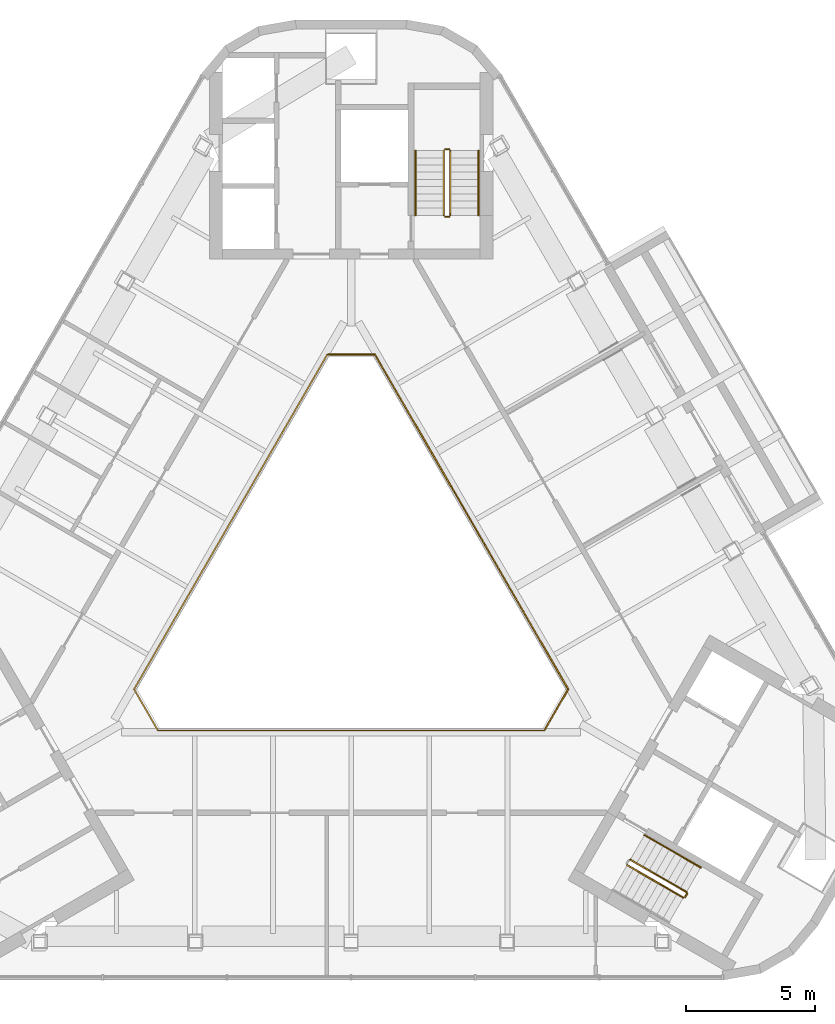
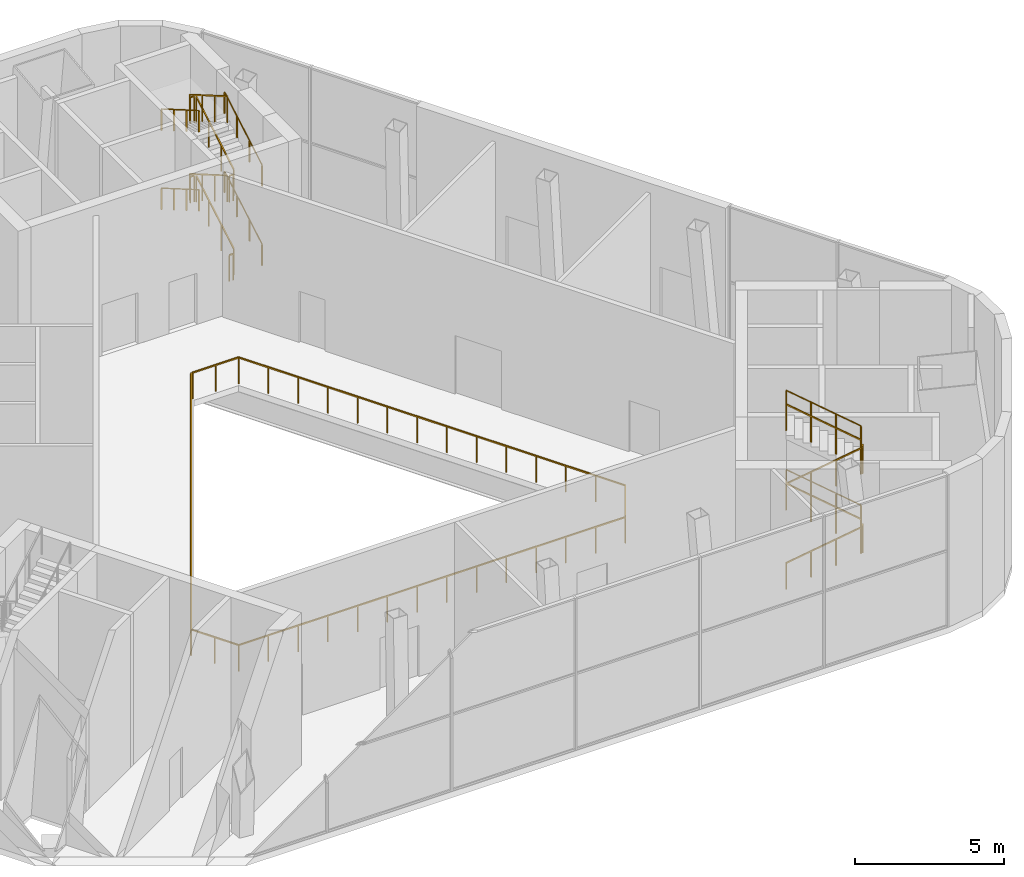
# One storey, part 12 of 12: 22 railings.
"""IFC4 building model written with IfcOpenShell, lengths in metres."""

from ifc_helpers import new_model, si_unit, direction, frame, origin, origin_2d, place, context, subcontext, project, spatial, rectangle, circle, extrude, material, type_object, element, save


model = new_model("IFC4")

# Units and contexts
model_context = context("Model", 3, precision=1e-05, world=origin(), true_north=direction((0.0, 1.0)))
body_context = subcontext(model_context, "Body", "Model", "MODEL_VIEW")
ifc_project = project(units=[si_unit("LENGTHUNIT", "METRE"), si_unit("AREAUNIT", "SQUARE_METRE"), si_unit("VOLUMEUNIT", "CUBIC_METRE"), si_unit("PLANEANGLEUNIT", "RADIAN"), si_unit("MASSUNIT", "GRAM", prefix="KILO")], contexts=[model_context])

# Site, building, storey
site_placement = place(None, origin())
site = spatial("IfcSite", under=ifc_project, at=site_placement, CompositionType="ELEMENT")
building_placement = place(site_placement, origin())
building = spatial("IfcBuilding", under=site, at=building_placement, Name="Apuvela Tower Hotel", CompositionType="ELEMENT")
storey_placement = place(building_placement, frame((0.0, 0.0, 331.800048828125)))
storey = spatial("IfcBuildingStorey", under=building, at=storey_placement, Name="L83", CompositionType="ELEMENT", Elevation=331.800048828125)

# Railings
ifc_material_1 = material(Name="Steel S275 balustrade", Category="steel")
railing_type_1 = type_object("IfcRailingType", Name="COR-GUARD-1100", PredefinedType="GUARDRAIL", material=ifc_material_1)
railing_1_placement = place(storey_placement, frame((3.85009765625, 14.60009765625, 0.162353515625)))
element("IfcRailing", 1, at=railing_1_placement, inside=storey, type_object=railing_type_1, Name="L83 ST1 stair guard 1", PredefinedType="GUARDRAIL", context=body_context, shape_type="SweptSolid", body=[
    extrude(rectangle(XDim=0.048095703125, YDim=0.048095703125, at=origin_2d()), frame((0.0, 0.0, 1.076171875), z_axis=(0.0, 0.864876961378, 0.501983905795), x_axis=(-1.0, 0.0, 0.0)), (0.0, 0.0, 1.0), 2.913818359375),
    extrude(rectangle(XDim=0.0419921875, YDim=0.0419921875, at=origin_2d()), origin(), (0.0, 0.0, 1.0), 1.052001953125),
    extrude(rectangle(XDim=0.0419921875, YDim=0.0419921875, at=origin_2d()), frame((0.0, 0.840087890625, 0.487548828125)), (0.0, 0.0, 1.0), 1.052001953125),
    extrude(rectangle(XDim=0.0419921875, YDim=0.0419921875, at=origin_2d()), frame((0.0, 1.679931640625, 0.97509765625)), (0.0, 0.0, 1.0), 1.052001953125),
    extrude(rectangle(XDim=0.0419921875, YDim=0.0419921875, at=origin_2d()), frame((0.0, 2.52001953125, 1.462646484375)), (0.0, 0.0, 1.0), 1.052001953125),
])
railing_2_placement = place(storey_placement, frame((3.800048828125, 17.169921875, 1.625)))
element("IfcRailing", 2, at=railing_2_placement, inside=storey, type_object=railing_type_1, Name="L83 ST1 stair guard 2", PredefinedType="GUARDRAIL", context=body_context, shape_type="SweptSolid", body=[
    extrude(rectangle(XDim=0.048095703125, YDim=0.048095703125, at=origin_2d()), frame((0.0, 0.0, 1.076171875), z_axis=(-1.0, 0.0, 0.0), x_axis=(0.0, -1.0, 0.0)), (0.0, 0.0, 1.0), 0.150146484375),
    extrude(rectangle(XDim=0.0419921875, YDim=0.0419921875, at=origin_2d()), origin(), (0.0, 0.0, 1.0), 1.052001953125),
    extrude(rectangle(XDim=0.0419921875, YDim=0.0419921875, at=origin_2d()), frame((-0.150146484375, 0.0, 0.0)), (0.0, 0.0, 1.0), 1.052001953125),
])
railing_3_placement = place(storey_placement, frame((3.60009765625, 17.1201171875, 1.787353515625)))
element("IfcRailing", 3, at=railing_3_placement, inside=storey, type_object=railing_type_1, Name="L83 ST1 stair guard 3", PredefinedType="GUARDRAIL", context=body_context, shape_type="SweptSolid", body=[
    extrude(rectangle(XDim=0.048095703125, YDim=0.048095703125, at=origin_2d()), frame((0.0, 0.0, 1.076171875), z_axis=(0.0, -0.864876961378, 0.501983905795), x_axis=(1.0, 0.0, 0.0)), (0.0, 0.0, 1.0), 2.913818359375),
    extrude(rectangle(XDim=0.0419921875, YDim=0.0419921875, at=origin_2d()), origin(), (0.0, 0.0, 1.0), 1.052001953125),
    extrude(rectangle(XDim=0.0419921875, YDim=0.0419921875, at=origin_2d()), frame((0.0, -0.840087890625, 0.487548828125)), (0.0, 0.0, 1.0), 1.052001953125),
    extrude(rectangle(XDim=0.0419921875, YDim=0.0419921875, at=origin_2d()), frame((0.0, -1.679931640625, 0.97509765625)), (0.0, 0.0, 1.0), 1.052001953125),
    extrude(rectangle(XDim=0.0419921875, YDim=0.0419921875, at=origin_2d()), frame((0.0, -2.52001953125, 1.462646484375)), (0.0, 0.0, 1.0), 1.052001953125),
])
railing_4_placement = place(storey_placement, frame((3.800048828125, 14.550048828125, 3.25)))
element("IfcRailing", 4, at=railing_4_placement, inside=storey, type_object=railing_type_1, Name="L83 ST1 stair guard 4", PredefinedType="GUARDRAIL", context=body_context, shape_type="SweptSolid", body=[
    extrude(rectangle(XDim=0.048095703125, YDim=0.048095703125, at=origin_2d()), frame((0.0, 0.0, 1.076171875), z_axis=(-1.0, 0.0, 0.0), x_axis=(0.0, -1.0, 0.0)), (0.0, 0.0, 1.0), 0.150146484375),
    extrude(rectangle(XDim=0.0419921875, YDim=0.0419921875, at=origin_2d()), origin(), (0.0, 0.0, 1.0), 1.052001953125),
    extrude(rectangle(XDim=0.0419921875, YDim=0.0419921875, at=origin_2d()), frame((-0.150146484375, 0.0, 0.0)), (0.0, 0.0, 1.0), 1.052001953125),
])
railing_5_placement = place(storey_placement, frame((3.85009765625, 14.60009765625, 3.412353515625)))
element("IfcRailing", 5, at=railing_5_placement, inside=storey, type_object=railing_type_1, Name="L83 ST1 stair guard 5", PredefinedType="GUARDRAIL", context=body_context, shape_type="SweptSolid", body=[
    extrude(rectangle(XDim=0.048095703125, YDim=0.048095703125, at=origin_2d()), frame((0.0, 0.0, 1.076171875), z_axis=(0.0, 0.864876961378, 0.501983905795), x_axis=(-1.0, 0.0, 0.0)), (0.0, 0.0, 1.0), 2.913818359375),
    extrude(rectangle(XDim=0.0419921875, YDim=0.0419921875, at=origin_2d()), origin(), (0.0, 0.0, 1.0), 1.052001953125),
    extrude(rectangle(XDim=0.0419921875, YDim=0.0419921875, at=origin_2d()), frame((0.0, 0.840087890625, 0.487548828125)), (0.0, 0.0, 1.0), 1.052001953125),
    extrude(rectangle(XDim=0.0419921875, YDim=0.0419921875, at=origin_2d()), frame((0.0, 1.679931640625, 0.97509765625)), (0.0, 0.0, 1.0), 1.052001953125),
    extrude(rectangle(XDim=0.0419921875, YDim=0.0419921875, at=origin_2d()), frame((0.0, 2.52001953125, 1.462646484375)), (0.0, 0.0, 1.0), 1.052001953125),
])
railing_6_placement = place(storey_placement, frame((3.800048828125, 17.169921875, 4.875)))
element("IfcRailing", 6, at=railing_6_placement, inside=storey, type_object=railing_type_1, Name="L83 ST1 stair guard 6", PredefinedType="GUARDRAIL", context=body_context, shape_type="SweptSolid", body=[
    extrude(rectangle(XDim=0.048095703125, YDim=0.048095703125, at=origin_2d()), frame((0.0, 0.0, 1.076171875), z_axis=(-1.0, 0.0, 0.0), x_axis=(0.0, -1.0, 0.0)), (0.0, 0.0, 1.0), 0.150146484375),
    extrude(rectangle(XDim=0.0419921875, YDim=0.0419921875, at=origin_2d()), origin(), (0.0, 0.0, 1.0), 1.052001953125),
    extrude(rectangle(XDim=0.0419921875, YDim=0.0419921875, at=origin_2d()), frame((-0.150146484375, 0.0, 0.0)), (0.0, 0.0, 1.0), 1.052001953125),
])
railing_7_placement = place(storey_placement, frame((3.60009765625, 17.1201171875, 5.037353515625)))
element("IfcRailing", 7, at=railing_7_placement, inside=storey, type_object=railing_type_1, Name="L83 ST1 stair guard 7", PredefinedType="GUARDRAIL", context=body_context, shape_type="SweptSolid", body=[
    extrude(rectangle(XDim=0.048095703125, YDim=0.048095703125, at=origin_2d()), frame((0.0, 0.0, 1.076171875), z_axis=(0.0, -0.864876961378, 0.501983905795), x_axis=(1.0, 0.0, 0.0)), (0.0, 0.0, 1.0), 2.913818359375),
    extrude(rectangle(XDim=0.0419921875, YDim=0.0419921875, at=origin_2d()), origin(), (0.0, 0.0, 1.0), 1.052001953125),
    extrude(rectangle(XDim=0.0419921875, YDim=0.0419921875, at=origin_2d()), frame((0.0, -0.840087890625, 0.487548828125)), (0.0, 0.0, 1.0), 1.052001953125),
    extrude(rectangle(XDim=0.0419921875, YDim=0.0419921875, at=origin_2d()), frame((0.0, -1.679931640625, 0.97509765625)), (0.0, 0.0, 1.0), 1.052001953125),
    extrude(rectangle(XDim=0.0419921875, YDim=0.0419921875, at=origin_2d()), frame((0.0, -2.52001953125, 1.462646484375)), (0.0, 0.0, 1.0), 1.052001953125),
])
railing_8_placement = place(storey_placement, frame((3.800048828125, 14.550048828125, 0.0)))
element("IfcRailing", 8, at=railing_8_placement, inside=storey, type_object=railing_type_1, Name="L83 ST1 stair guard 8", PredefinedType="GUARDRAIL", context=body_context, shape_type="SweptSolid", body=[
    extrude(rectangle(XDim=0.048095703125, YDim=0.048095703125, at=origin_2d()), frame((0.0, 0.0, 1.076171875), z_axis=(-1.0, 0.0, 0.0), x_axis=(0.0, -1.0, 0.0)), (0.0, 0.0, 1.0), 0.150146484375),
    extrude(rectangle(XDim=0.0419921875, YDim=0.0419921875, at=origin_2d()), origin(), (0.0, 0.0, 1.0), 1.052001953125),
    extrude(rectangle(XDim=0.0419921875, YDim=0.0419921875, at=origin_2d()), frame((-0.150146484375, 0.0, 0.0)), (0.0, 0.0, 1.0), 1.052001953125),
])
railing_9_placement = place(storey_placement, frame((10.718994140625, -10.63427734375, 0.162353515625)))
element("IfcRailing", 9, at=railing_9_placement, inside=storey, type_object=railing_type_1, Name="L83 ST3 stair guard 1", PredefinedType="GUARDRAIL", context=body_context, shape_type="SweptSolid", body=[
    extrude(rectangle(XDim=0.048095703125, YDim=0.048095703125, at=origin_2d()), frame((0.0, 0.0, 1.076171875), z_axis=(0.749001218392, -0.432441580503, 0.501987504126), x_axis=(0.500004791531, 0.866022637375, 0.0)), (0.0, 0.0, 1.0), 2.913818359375),
    extrude(rectangle(XDim=0.0419921875, YDim=0.0419921875, at=origin_2d()), origin(), (0.0, 0.0, 1.0), 1.052001953125),
    extrude(rectangle(XDim=0.0419921875, YDim=0.0419921875, at=origin_2d()), frame((0.7275390625, -0.419921875, 0.487548828125)), (0.0, 0.0, 1.0), 1.052001953125),
    extrude(rectangle(XDim=0.0419921875, YDim=0.0419921875, at=origin_2d()), frame((1.454833984375, -0.840087890625, 0.97509765625)), (0.0, 0.0, 1.0), 1.052001953125),
    extrude(rectangle(XDim=0.0419921875, YDim=0.0419921875, at=origin_2d()), frame((2.182373046875, -1.260009765625, 1.462646484375)), (0.0, 0.0, 1.0), 1.052001953125),
])
railing_10_placement = place(storey_placement, frame((12.9697265625, -11.8759765625, 1.625)))
element("IfcRailing", 10, at=railing_10_placement, inside=storey, type_object=railing_type_1, Name="L83 ST3 stair guard 2", PredefinedType="GUARDRAIL", context=body_context, shape_type="SweptSolid", body=[
    extrude(rectangle(XDim=0.048095703125, YDim=0.048095703125, at=origin_2d()), frame((0.0, 0.0, 1.076171875), z_axis=(0.499816412211, 0.866131372301, 0.0), x_axis=(-0.866131372301, 0.499816412211, 0.0)), (0.0, 0.0, 1.0), 0.14990234375),
    extrude(rectangle(XDim=0.0419921875, YDim=0.0419921875, at=origin_2d()), origin(), (0.0, 0.0, 1.0), 1.052001953125),
    extrude(rectangle(XDim=0.0419921875, YDim=0.0419921875, at=origin_2d()), frame((0.074951171875, 0.1298828125, 0.0)), (0.0, 0.0, 1.0), 1.052001953125),
])
railing_11_placement = place(storey_placement, frame((13.0263671875, -11.677734375, 1.787353515625)))
element("IfcRailing", 11, at=railing_11_placement, inside=storey, type_object=railing_type_1, Name="L83 ST3 stair guard 3", PredefinedType="GUARDRAIL", context=body_context, shape_type="SweptSolid", body=[
    extrude(rectangle(XDim=0.048095703125, YDim=0.048095703125, at=origin_2d()), frame((0.0, 0.0, 1.076171875), z_axis=(-0.749001218392, 0.432441580503, 0.501987504126), x_axis=(-0.500004791531, -0.866022637375, 0.0)), (0.0, 0.0, 1.0), 2.913818359375),
    extrude(rectangle(XDim=0.0419921875, YDim=0.0419921875, at=origin_2d()), origin(), (0.0, 0.0, 1.0), 1.052001953125),
    extrude(rectangle(XDim=0.0419921875, YDim=0.0419921875, at=origin_2d()), frame((-0.7275390625, 0.419921875, 0.487548828125)), (0.0, 0.0, 1.0), 1.052001953125),
    extrude(rectangle(XDim=0.0419921875, YDim=0.0419921875, at=origin_2d()), frame((-1.454833984375, 0.840087890625, 0.97509765625)), (0.0, 0.0, 1.0), 1.052001953125),
    extrude(rectangle(XDim=0.0419921875, YDim=0.0419921875, at=origin_2d()), frame((-2.182373046875, 1.260009765625, 1.462646484375)), (0.0, 0.0, 1.0), 1.052001953125),
])
railing_12_placement = place(storey_placement, frame((10.718994140625, -10.63427734375, 3.412353515625)))
element("IfcRailing", 12, at=railing_12_placement, inside=storey, type_object=railing_type_1, Name="L83 ST3 stair guard 5", PredefinedType="GUARDRAIL", context=body_context, shape_type="SweptSolid", body=[
    extrude(rectangle(XDim=0.048095703125, YDim=0.048095703125, at=origin_2d()), frame((0.0, 0.0, 1.076171875), z_axis=(0.749001218392, -0.432441580503, 0.501987504126), x_axis=(0.500004791531, 0.866022637375, 0.0)), (0.0, 0.0, 1.0), 2.913818359375),
    extrude(rectangle(XDim=0.0419921875, YDim=0.0419921875, at=origin_2d()), origin(), (0.0, 0.0, 1.0), 1.052001953125),
    extrude(rectangle(XDim=0.0419921875, YDim=0.0419921875, at=origin_2d()), frame((0.7275390625, -0.419921875, 0.487548828125)), (0.0, 0.0, 1.0), 1.052001953125),
    extrude(rectangle(XDim=0.0419921875, YDim=0.0419921875, at=origin_2d()), frame((1.454833984375, -0.840087890625, 0.97509765625)), (0.0, 0.0, 1.0), 1.052001953125),
    extrude(rectangle(XDim=0.0419921875, YDim=0.0419921875, at=origin_2d()), frame((2.182373046875, -1.260009765625, 1.462646484375)), (0.0, 0.0, 1.0), 1.052001953125),
])
railing_13_placement = place(storey_placement, frame((12.9697265625, -11.8759765625, 4.875)))
element("IfcRailing", 13, at=railing_13_placement, inside=storey, type_object=railing_type_1, Name="L83 ST3 stair guard 6", PredefinedType="GUARDRAIL", context=body_context, shape_type="SweptSolid", body=[
    extrude(rectangle(XDim=0.048095703125, YDim=0.048095703125, at=origin_2d()), frame((0.0, 0.0, 1.076171875), z_axis=(0.499816412211, 0.866131372301, 0.0), x_axis=(-0.866131372301, 0.499816412211, 0.0)), (0.0, 0.0, 1.0), 0.14990234375),
    extrude(rectangle(XDim=0.0419921875, YDim=0.0419921875, at=origin_2d()), origin(), (0.0, 0.0, 1.0), 1.052001953125),
    extrude(rectangle(XDim=0.0419921875, YDim=0.0419921875, at=origin_2d()), frame((0.074951171875, 0.1298828125, 0.0)), (0.0, 0.0, 1.0), 1.052001953125),
])
railing_14_placement = place(storey_placement, frame((13.0263671875, -11.677734375, 5.037353515625)))
element("IfcRailing", 14, at=railing_14_placement, inside=storey, type_object=railing_type_1, Name="L83 ST3 stair guard 7", PredefinedType="GUARDRAIL", context=body_context, shape_type="SweptSolid", body=[
    extrude(rectangle(XDim=0.048095703125, YDim=0.048095703125, at=origin_2d()), frame((0.0, 0.0, 1.076171875), z_axis=(-0.749001218392, 0.432441580503, 0.501987504126), x_axis=(-0.500004791531, -0.866022637375, 0.0)), (0.0, 0.0, 1.0), 2.913818359375),
    extrude(rectangle(XDim=0.0419921875, YDim=0.0419921875, at=origin_2d()), origin(), (0.0, 0.0, 1.0), 1.052001953125),
    extrude(rectangle(XDim=0.0419921875, YDim=0.0419921875, at=origin_2d()), frame((-0.7275390625, 0.419921875, 0.487548828125)), (0.0, 0.0, 1.0), 1.052001953125),
    extrude(rectangle(XDim=0.0419921875, YDim=0.0419921875, at=origin_2d()), frame((-1.454833984375, 0.840087890625, 0.97509765625)), (0.0, 0.0, 1.0), 1.052001953125),
    extrude(rectangle(XDim=0.0419921875, YDim=0.0419921875, at=origin_2d()), frame((-2.182373046875, 1.260009765625, 1.462646484375)), (0.0, 0.0, 1.0), 1.052001953125),
])
ifc_material_2 = material(Name="Stainless steel 316 handrail", Category="steel")
railing_type_2 = type_object("IfcRailingType", Name="COR-HANDRAIL-900", PredefinedType="HANDRAIL", material=ifc_material_2)
railing_15_placement = place(storey_placement, frame((4.949951171875, 14.60009765625, 0.162353515625)))
element("IfcRailing", 15, at=railing_15_placement, inside=storey, type_object=railing_type_2, Name="L83 ST1 stair handrail 1", PredefinedType="HANDRAIL", context=body_context, shape_type="SweptSolid", body=[
    extrude(circle(Radius=0.02392578125, at=origin_2d()), frame((0.0, 0.0, 0.8759765625), z_axis=(0.0, 0.864876961378, 0.501983905795), x_axis=(-1.0, 0.0, 0.0)), (0.0, 0.0, 1.0), 2.913818359375),
    extrude(rectangle(XDim=0.0419921875, YDim=0.0419921875, at=origin_2d()), origin(), (0.0, 0.0, 1.0), 0.851806640625),
    extrude(rectangle(XDim=0.0419921875, YDim=0.0419921875, at=origin_2d()), frame((0.0, 0.840087890625, 0.487548828125)), (0.0, 0.0, 1.0), 0.851806640625),
    extrude(rectangle(XDim=0.0419921875, YDim=0.0419921875, at=origin_2d()), frame((0.0, 1.679931640625, 0.97509765625)), (0.0, 0.0, 1.0), 0.851806640625),
    extrude(rectangle(XDim=0.0419921875, YDim=0.0419921875, at=origin_2d()), frame((0.0, 2.52001953125, 1.462646484375)), (0.0, 0.0, 1.0), 0.851806640625),
])
railing_16_placement = place(storey_placement, frame((2.5, 17.1201171875, 1.787353515625)))
element("IfcRailing", 16, at=railing_16_placement, inside=storey, type_object=railing_type_2, Name="L83 ST1 stair handrail 2", PredefinedType="HANDRAIL", context=body_context, shape_type="SweptSolid", body=[
    extrude(circle(Radius=0.02392578125, at=origin_2d()), frame((0.0, 0.0, 0.8759765625), z_axis=(0.0, -0.864876961378, 0.501983905795), x_axis=(1.0, 0.0, 0.0)), (0.0, 0.0, 1.0), 2.913818359375),
    extrude(rectangle(XDim=0.0419921875, YDim=0.0419921875, at=origin_2d()), origin(), (0.0, 0.0, 1.0), 0.851806640625),
    extrude(rectangle(XDim=0.0419921875, YDim=0.0419921875, at=origin_2d()), frame((0.0, -0.840087890625, 0.487548828125)), (0.0, 0.0, 1.0), 0.851806640625),
    extrude(rectangle(XDim=0.0419921875, YDim=0.0419921875, at=origin_2d()), frame((0.0, -1.679931640625, 0.97509765625)), (0.0, 0.0, 1.0), 0.851806640625),
    extrude(rectangle(XDim=0.0419921875, YDim=0.0419921875, at=origin_2d()), frame((0.0, -2.52001953125, 1.462646484375)), (0.0, 0.0, 1.0), 0.851806640625),
])
railing_17_placement = place(storey_placement, frame((4.949951171875, 14.60009765625, 3.412353515625)))
element("IfcRailing", 17, at=railing_17_placement, inside=storey, type_object=railing_type_2, Name="L83 ST1 stair handrail 3", PredefinedType="HANDRAIL", context=body_context, shape_type="SweptSolid", body=[
    extrude(circle(Radius=0.02392578125, at=origin_2d()), frame((0.0, 0.0, 0.8759765625), z_axis=(0.0, 0.864876961378, 0.501983905795), x_axis=(-1.0, 0.0, 0.0)), (0.0, 0.0, 1.0), 2.913818359375),
    extrude(rectangle(XDim=0.0419921875, YDim=0.0419921875, at=origin_2d()), origin(), (0.0, 0.0, 1.0), 0.851806640625),
    extrude(rectangle(XDim=0.0419921875, YDim=0.0419921875, at=origin_2d()), frame((0.0, 0.840087890625, 0.487548828125)), (0.0, 0.0, 1.0), 0.851806640625),
    extrude(rectangle(XDim=0.0419921875, YDim=0.0419921875, at=origin_2d()), frame((0.0, 1.679931640625, 0.97509765625)), (0.0, 0.0, 1.0), 0.851806640625),
    extrude(rectangle(XDim=0.0419921875, YDim=0.0419921875, at=origin_2d()), frame((0.0, 2.52001953125, 1.462646484375)), (0.0, 0.0, 1.0), 0.851806640625),
])
railing_18_placement = place(storey_placement, frame((2.5, 17.1201171875, 5.037353515625)))
element("IfcRailing", 18, at=railing_18_placement, inside=storey, type_object=railing_type_2, Name="L83 ST1 stair handrail 4", PredefinedType="HANDRAIL", context=body_context, shape_type="SweptSolid", body=[
    extrude(circle(Radius=0.02392578125, at=origin_2d()), frame((0.0, 0.0, 0.8759765625), z_axis=(0.0, -0.864876961378, 0.501983905795), x_axis=(1.0, 0.0, 0.0)), (0.0, 0.0, 1.0), 2.913818359375),
    extrude(rectangle(XDim=0.0419921875, YDim=0.0419921875, at=origin_2d()), origin(), (0.0, 0.0, 1.0), 0.851806640625),
    extrude(rectangle(XDim=0.0419921875, YDim=0.0419921875, at=origin_2d()), frame((0.0, -0.840087890625, 0.487548828125)), (0.0, 0.0, 1.0), 0.851806640625),
    extrude(rectangle(XDim=0.0419921875, YDim=0.0419921875, at=origin_2d()), frame((0.0, -1.679931640625, 0.97509765625)), (0.0, 0.0, 1.0), 0.851806640625),
    extrude(rectangle(XDim=0.0419921875, YDim=0.0419921875, at=origin_2d()), frame((0.0, -2.52001953125, 1.462646484375)), (0.0, 0.0, 1.0), 0.851806640625),
])
for number, where, name in (
    (19, (13.576416015625, -10.72509765625, 1.787353515625), "L83 ST3 stair handrail 2"),
    (20, (13.576416015625, -10.72509765625, 5.037353515625), "L83 ST3 stair handrail 4"),
):
    element("IfcRailing", number, at=place(storey_placement, frame(where)), inside=storey, type_object=railing_type_2, Name=name, PredefinedType="HANDRAIL", context=body_context, shape_type="SweptSolid", body=[
        extrude(circle(Radius=0.02392578125, at=origin_2d()), frame((0.0, 0.0, 0.8759765625), z_axis=(-0.749001218392, 0.432441580503, 0.501987504126), x_axis=(-0.500004791531, -0.866022637375, 0.0)), (0.0, 0.0, 1.0), 2.913818359375),
        extrude(rectangle(XDim=0.0419921875, YDim=0.0419921875, at=origin_2d()), origin(), (0.0, 0.0, 1.0), 0.851806640625),
        extrude(rectangle(XDim=0.0419921875, YDim=0.0419921875, at=origin_2d()), frame((-0.7275390625, 0.419921875, 0.487548828125)), (0.0, 0.0, 1.0), 0.851806640625),
        extrude(rectangle(XDim=0.0419921875, YDim=0.0419921875, at=origin_2d()), frame((-1.454833984375, 0.840087890625, 0.97509765625)), (0.0, 0.0, 1.0), 0.851806640625),
        extrude(rectangle(XDim=0.0419921875, YDim=0.0419921875, at=origin_2d()), frame((-2.182373046875, 1.260009765625, 1.462646484375)), (0.0, 0.0, 1.0), 0.851806640625),
    ])
ifc_material_3 = material(Name="Stainless steel 316 rail with laminated glass infill", Category="steel")
railing_type_3 = type_object("IfcRailingType", Name="ENV-GUARD-1100", PredefinedType="GUARDRAIL", material=ifc_material_3)
railing_19_placement = place(storey_placement, frame((-0.923828125, 9.199951171875, 0.0)))
element("IfcRailing", 21, at=railing_19_placement, inside=storey, type_object=railing_type_3, Name="Atrium void guard A L83", PredefinedType="GUARDRAIL", context=body_context, shape_type="SweptSolid", body=[
    extrude(rectangle(XDim=0.050048828125, YDim=0.050048828125, at=origin_2d()), frame((0.0, 0.0, 1.0751953125), z_axis=(-0.499990886379, -0.866030665472, 0.0), x_axis=(0.866030665472, -0.499990886379, 0.0)), (0.0, 0.0, 1.0), 15.010986328125),
    extrude(rectangle(XDim=0.050048828125, YDim=0.050048828125, at=origin_2d()), frame((-7.50537109375, -13.0, 1.0751953125), z_axis=(0.499962699187, -0.866046938348, 0.0), x_axis=(0.866046938348, 0.499962699187, 0.0)), (0.0, 0.0, 1.0), 1.847412109375),
    extrude(rectangle(XDim=0.050048828125, YDim=0.050048828125, at=origin_2d()), frame((-6.581787109375, -14.599853515625, 1.0751953125), z_axis=(1.0, 0.0, 0.0), x_axis=(0.0, 1.0, 0.0)), (0.0, 0.0, 1.0), 15.01123046875),
    extrude(rectangle(XDim=0.0400390625, YDim=0.0400390625, at=origin_2d()), origin(), (0.0, 0.0, 1.0), 1.050048828125),
    extrude(rectangle(XDim=0.0400390625, YDim=0.0400390625, at=origin_2d()), frame((-0.577392578125, -1.0, 0.0)), (0.0, 0.0, 1.0), 1.050048828125),
    extrude(rectangle(XDim=0.0400390625, YDim=0.0400390625, at=origin_2d()), frame((-1.15478515625, -2.0, 0.0)), (0.0, 0.0, 1.0), 1.050048828125),
    extrude(rectangle(XDim=0.0400390625, YDim=0.0400390625, at=origin_2d()), frame((-1.73193359375, -3.0, 0.0)), (0.0, 0.0, 1.0), 1.050048828125),
    extrude(rectangle(XDim=0.0400390625, YDim=0.0400390625, at=origin_2d()), frame((-2.309326171875, -4.0, 0.0)), (0.0, 0.0, 1.0), 1.050048828125),
    extrude(rectangle(XDim=0.0400390625, YDim=0.0400390625, at=origin_2d()), frame((-2.88671875, -5.0, 0.0)), (0.0, 0.0, 1.0), 1.050048828125),
    extrude(rectangle(XDim=0.0400390625, YDim=0.0400390625, at=origin_2d()), frame((-3.464111328125, -6.0, 0.0)), (0.0, 0.0, 1.0), 1.050048828125),
    extrude(rectangle(XDim=0.0400390625, YDim=0.0400390625, at=origin_2d()), frame((-4.041259765625, -7.0, 0.0)), (0.0, 0.0, 1.0), 1.050048828125),
    extrude(rectangle(XDim=0.0400390625, YDim=0.0400390625, at=origin_2d()), frame((-4.61865234375, -8.0, 0.0)), (0.0, 0.0, 1.0), 1.050048828125),
    extrude(rectangle(XDim=0.0400390625, YDim=0.0400390625, at=origin_2d()), frame((-5.196044921875, -9.0, 0.0)), (0.0, 0.0, 1.0), 1.050048828125),
    extrude(rectangle(XDim=0.0400390625, YDim=0.0400390625, at=origin_2d()), frame((-5.7734375, -10.0, 0.0)), (0.0, 0.0, 1.0), 1.050048828125),
    extrude(rectangle(XDim=0.0400390625, YDim=0.0400390625, at=origin_2d()), frame((-6.3505859375, -11.0, 0.0)), (0.0, 0.0, 1.0), 1.050048828125),
    extrude(rectangle(XDim=0.0400390625, YDim=0.0400390625, at=origin_2d()), frame((-6.927978515625, -12.0, 0.0)), (0.0, 0.0, 1.0), 1.050048828125),
    extrude(rectangle(XDim=0.0400390625, YDim=0.0400390625, at=origin_2d()), frame((-7.50537109375, -13.0, 0.0)), (0.0, 0.0, 1.0), 1.050048828125),
    extrude(rectangle(XDim=0.0400390625, YDim=0.0400390625, at=origin_2d()), frame((-7.04345703125, -13.7998046875, 0.0)), (0.0, 0.0, 1.0), 1.050048828125),
    extrude(rectangle(XDim=0.0400390625, YDim=0.0400390625, at=origin_2d()), frame((-6.581787109375, -14.599853515625, 0.0)), (0.0, 0.0, 1.0), 1.050048828125),
    extrude(rectangle(XDim=0.0400390625, YDim=0.0400390625, at=origin_2d()), frame((-5.427001953125, -14.599853515625, 0.0)), (0.0, 0.0, 1.0), 1.050048828125),
    extrude(rectangle(XDim=0.0400390625, YDim=0.0400390625, at=origin_2d()), frame((-4.2724609375, -14.599853515625, 0.0)), (0.0, 0.0, 1.0), 1.050048828125),
    extrude(rectangle(XDim=0.0400390625, YDim=0.0400390625, at=origin_2d()), frame((-3.11767578125, -14.599853515625, 0.0)), (0.0, 0.0, 1.0), 1.050048828125),
    extrude(rectangle(XDim=0.0400390625, YDim=0.0400390625, at=origin_2d()), frame((-1.962890625, -14.599853515625, 0.0)), (0.0, 0.0, 1.0), 1.050048828125),
    extrude(rectangle(XDim=0.0400390625, YDim=0.0400390625, at=origin_2d()), frame((-0.808349609375, -14.599853515625, 0.0)), (0.0, 0.0, 1.0), 1.050048828125),
    extrude(rectangle(XDim=0.0400390625, YDim=0.0400390625, at=origin_2d()), frame((0.346435546875, -14.599853515625, 0.0)), (0.0, 0.0, 1.0), 1.050048828125),
    extrude(rectangle(XDim=0.0400390625, YDim=0.0400390625, at=origin_2d()), frame((1.501220703125, -14.599853515625, 0.0)), (0.0, 0.0, 1.0), 1.050048828125),
    extrude(rectangle(XDim=0.0400390625, YDim=0.0400390625, at=origin_2d()), frame((2.656005859375, -14.599853515625, 0.0)), (0.0, 0.0, 1.0), 1.050048828125),
    extrude(rectangle(XDim=0.0400390625, YDim=0.0400390625, at=origin_2d()), frame((3.810546875, -14.599853515625, 0.0)), (0.0, 0.0, 1.0), 1.050048828125),
    extrude(rectangle(XDim=0.0400390625, YDim=0.0400390625, at=origin_2d()), frame((4.96533203125, -14.599853515625, 0.0)), (0.0, 0.0, 1.0), 1.050048828125),
    extrude(rectangle(XDim=0.0400390625, YDim=0.0400390625, at=origin_2d()), frame((6.1201171875, -14.599853515625, 0.0)), (0.0, 0.0, 1.0), 1.050048828125),
    extrude(rectangle(XDim=0.0400390625, YDim=0.0400390625, at=origin_2d()), frame((7.274658203125, -14.599853515625, 0.0)), (0.0, 0.0, 1.0), 1.050048828125),
    extrude(rectangle(XDim=0.0400390625, YDim=0.0400390625, at=origin_2d()), frame((8.429443359375, -14.599853515625, 0.0)), (0.0, 0.0, 1.0), 1.050048828125),
])
railing_20_placement = place(storey_placement, frame((7.53564453125, -5.347900390625, 0.0)))
element("IfcRailing", 22, at=railing_20_placement, inside=storey, type_object=railing_type_3, Name="Atrium void guard B L83", PredefinedType="GUARDRAIL", context=body_context, shape_type="SweptSolid", body=[
    extrude(rectangle(XDim=0.050048828125, YDim=0.050048828125, at=origin_2d()), frame((0.0, 0.0, 1.0751953125), z_axis=(0.499958946799, 0.866049104564, 0.0), x_axis=(-0.866049104564, 0.499958946799, 0.0)), (0.0, 0.0, 1.0), 1.787353515625),
    extrude(rectangle(XDim=0.050048828125, YDim=0.050048828125, at=origin_2d()), frame((0.8935546875, 1.5478515625, 1.0751953125), z_axis=(-0.499990886379, 0.866030665472, 0.0), x_axis=(-0.866030665472, -0.499990886379, 0.0)), (0.0, 0.0, 1.0), 15.010986328125),
    extrude(rectangle(XDim=0.050048828125, YDim=0.050048828125, at=origin_2d()), frame((-6.61181640625, 14.5478515625, 1.0751953125), z_axis=(-1.0, 0.0, 0.0), x_axis=(0.0, -1.0, 0.0)), (0.0, 0.0, 1.0), 1.78759765625),
    extrude(rectangle(XDim=0.0400390625, YDim=0.0400390625, at=origin_2d()), origin(), (0.0, 0.0, 1.0), 1.050048828125),
    extrude(rectangle(XDim=0.0400390625, YDim=0.0400390625, at=origin_2d()), frame((0.44677734375, 0.77392578125, 0.0)), (0.0, 0.0, 1.0), 1.050048828125),
    extrude(rectangle(XDim=0.0400390625, YDim=0.0400390625, at=origin_2d()), frame((0.8935546875, 1.5478515625, 0.0)), (0.0, 0.0, 1.0), 1.050048828125),
    extrude(rectangle(XDim=0.0400390625, YDim=0.0400390625, at=origin_2d()), frame((0.316162109375, 2.5478515625, 0.0)), (0.0, 0.0, 1.0), 1.050048828125),
    extrude(rectangle(XDim=0.0400390625, YDim=0.0400390625, at=origin_2d()), frame((-0.26123046875, 3.5478515625, 0.0)), (0.0, 0.0, 1.0), 1.050048828125),
    extrude(rectangle(XDim=0.0400390625, YDim=0.0400390625, at=origin_2d()), frame((-0.83837890625, 4.5478515625, 0.0)), (0.0, 0.0, 1.0), 1.050048828125),
    extrude(rectangle(XDim=0.0400390625, YDim=0.0400390625, at=origin_2d()), frame((-1.415771484375, 5.5478515625, 0.0)), (0.0, 0.0, 1.0), 1.050048828125),
    extrude(rectangle(XDim=0.0400390625, YDim=0.0400390625, at=origin_2d()), frame((-1.9931640625, 6.5478515625, 0.0)), (0.0, 0.0, 1.0), 1.050048828125),
    extrude(rectangle(XDim=0.0400390625, YDim=0.0400390625, at=origin_2d()), frame((-2.570556640625, 7.5478515625, 0.0)), (0.0, 0.0, 1.0), 1.050048828125),
    extrude(rectangle(XDim=0.0400390625, YDim=0.0400390625, at=origin_2d()), frame((-3.147705078125, 8.5478515625, 0.0)), (0.0, 0.0, 1.0), 1.050048828125),
    extrude(rectangle(XDim=0.0400390625, YDim=0.0400390625, at=origin_2d()), frame((-3.72509765625, 9.5478515625, 0.0)), (0.0, 0.0, 1.0), 1.050048828125),
    extrude(rectangle(XDim=0.0400390625, YDim=0.0400390625, at=origin_2d()), frame((-4.302490234375, 10.5478515625, 0.0)), (0.0, 0.0, 1.0), 1.050048828125),
    extrude(rectangle(XDim=0.0400390625, YDim=0.0400390625, at=origin_2d()), frame((-4.8798828125, 11.5478515625, 0.0)), (0.0, 0.0, 1.0), 1.050048828125),
    extrude(rectangle(XDim=0.0400390625, YDim=0.0400390625, at=origin_2d()), frame((-5.45703125, 12.5478515625, 0.0)), (0.0, 0.0, 1.0), 1.050048828125),
    extrude(rectangle(XDim=0.0400390625, YDim=0.0400390625, at=origin_2d()), frame((-6.034423828125, 13.5478515625, 0.0)), (0.0, 0.0, 1.0), 1.050048828125),
    extrude(rectangle(XDim=0.0400390625, YDim=0.0400390625, at=origin_2d()), frame((-6.61181640625, 14.5478515625, 0.0)), (0.0, 0.0, 1.0), 1.050048828125),
    extrude(rectangle(XDim=0.0400390625, YDim=0.0400390625, at=origin_2d()), frame((-7.505615234375, 14.5478515625, 0.0)), (0.0, 0.0, 1.0), 1.050048828125),
    extrude(rectangle(XDim=0.0400390625, YDim=0.0400390625, at=origin_2d()), frame((-8.3994140625, 14.5478515625, 0.0)), (0.0, 0.0, 1.0), 1.050048828125),
])

save(model, "model.ifc")
